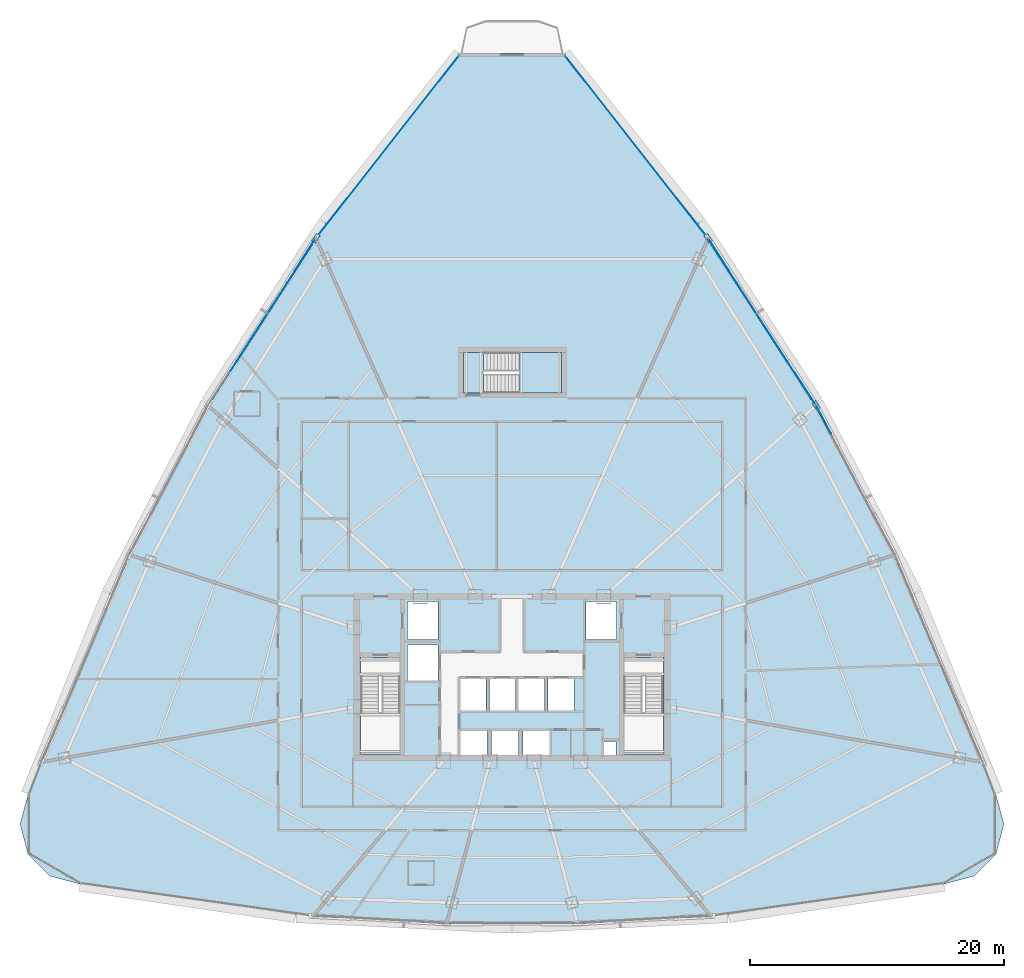
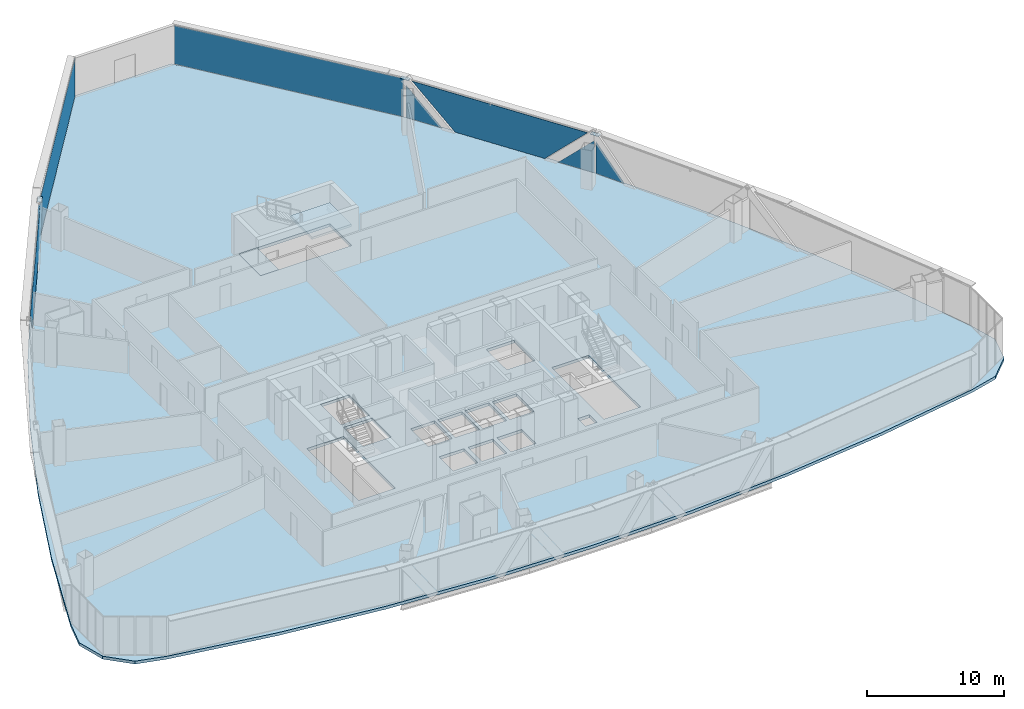
# One storey, part 28 of 38: 11 plates, 3 slabs, 6 elements without a shape of their own.
"""IFC4 building model written with IfcOpenShell, lengths in metres."""

from ifc_helpers import new_model, si_unit, direction, frame, origin, origin_2d, place, context, subcontext, project, spatial, polyline, rectangle, outline, extrude, source, transform, mapped, material, layer, layer_set, type_object, element, aggregate, save


model = new_model("IFC4")

# Units and contexts
model_context = context("Model", 3, precision=1e-05, world=origin(), true_north=direction((0.0, 1.0)))
body_context = subcontext(model_context, "Body", "Model", "MODEL_VIEW")
ifc_project = project(units=[si_unit("LENGTHUNIT", "METRE"), si_unit("AREAUNIT", "SQUARE_METRE"), si_unit("VOLUMEUNIT", "CUBIC_METRE"), si_unit("PLANEANGLEUNIT", "RADIAN"), si_unit("MASSUNIT", "GRAM", prefix="KILO"), si_unit("THERMODYNAMICTEMPERATUREUNIT", "KELVIN"), si_unit("POWERUNIT", "WATT")], contexts=[model_context])

# Site, building, storey
site_placement = place(None, origin())
site = spatial("IfcSite", under=ifc_project, at=site_placement, CompositionType="ELEMENT")
building_placement = place(site_placement, origin())
building = spatial("IfcBuilding", under=site, at=building_placement, Name="Yunzhuo Pagoda Commons", CompositionType="ELEMENT")
storey_placement = place(building_placement, frame((0.0, 0.0, 203.760009765625)))
storey = spatial("IfcBuildingStorey", under=building, at=storey_placement, Name="L51", CompositionType="ELEMENT", Elevation=203.760009765625)

# Curtain wall, plate
ifc_material_1 = material(Name="Anodized aluminium 6063-T6", Category="aluminium")
ifc_layer_1 = layer(ifc_material_1, 0.14990234375)
ifc_layer_set_1 = layer_set([ifc_layer_1], Name="Anodized aluminium 6063-T6")
curtain_wall_type = type_object("IfcCurtainWallType", Name="CW-MID Mid-Zone Ribbon Curtain Wall", PredefinedType="NOTDEFINED", material=ifc_layer_set_1)
curtain_wall_1_placement = place(storey_placement, origin())
curtain_wall_1 = element("IfcCurtainWall", 1, at=curtain_wall_1_placement, inside=storey, type_object=curtain_wall_type, Name="L51 curtain wall CW-L51-F2B3", PredefinedType="NOTDEFINED")
ifc_material_2 = material(Name="Tempered low-e double glazing", Category="glass")
ifc_layer_2 = layer(ifc_material_2, 0.028076171875)
ifc_layer_set_2 = layer_set([ifc_layer_2], Name="Tempered low-e double glazing")
plate_type_1 = type_object("IfcPlateType", Name="CW-MID-P Low-E Double Glazing 28", PredefinedType="CURTAIN_PANEL", material=ifc_layer_set_2)
plate_1_placement = place(storey_placement, frame((72.507080078125, 54.07470703125, 1.474365234375), z_axis=(0.884591690585, 0.466366316267, 0.0), x_axis=(-0.466366316267, 0.884591690585, 0.0)))
plate_1 = element("IfcPlate", 2, at=plate_1_placement, type_object=plate_type_1, Name="CW panel 1.1 lite 3", PredefinedType="CURTAIN_PANEL", context=body_context, shape_type="SweptSolid", body=[
    extrude(outline(polyline([(-1.240234375, -1.41943359375), (1.240234375, -1.41943359375), (1.240234375, 1.41943359375), (-1.240234375, -1.41943359375)])), origin(), (0.0, 0.0, 1.0), 0.028076171875),
])
aggregate(curtain_wall_1, [plate_1])

# Curtain wall, plates
curtain_wall_2_placement = place(storey_placement, origin())
curtain_wall_2 = element("IfcCurtainWall", 3, at=curtain_wall_2_placement, inside=storey, type_object=curtain_wall_type, Name="L51 curtain wall CW-L51-F2B4", PredefinedType="NOTDEFINED")
plate_2_placement = place(storey_placement, frame((71.060791015625, 56.525146484375, 1.503173828125), z_axis=(0.839965077478, 0.542640459805, 0.0), x_axis=(-0.542640459805, 0.839965077478, 0.0)))
plate_2 = element("IfcPlate", 4, at=plate_2_placement, type_object=plate_type_1, Name="CW panel 1.1 lite 1", PredefinedType="CURTAIN_PANEL", context=body_context, shape_type="SweptSolid", body=[
    extrude(outline(polyline([(-1.4892578125, -1.4482421875), (1.4892578125, -1.4482421875), (-1.4892578125, 1.4482421875), (-1.4892578125, -1.4482421875)])), origin(), (0.0, 0.0, 1.0), 0.028076171875),
])
plate_3_placement = place(storey_placement, frame((67.635498046875, 61.77197265625, 1.77001953125), z_axis=(0.839965077478, 0.542640459805, 0.0), x_axis=(-0.542640459805, 0.839965077478, 0.0)))
plate_3 = element("IfcPlate", 5, at=plate_3_placement, type_object=plate_type_1, Name="CW panel 1.1 lite 2", PredefinedType="CURTAIN_PANEL", context=body_context, shape_type="SweptSolid", body=[
    extrude(outline(polyline([(-7.21337890625, 1.715087890625), (-3.686279296875, -1.715087890625), (3.686279296875, -1.715087890625), (7.21337890625, 1.715087890625), (-7.21337890625, 1.715087890625)])), origin(), (0.0, 0.0, 1.0), 0.028076171875),
])
plate_4_placement = place(storey_placement, frame((64.2607421875, 67.05126953125, 1.503173828125), z_axis=(0.839965077478, 0.542640459805, 0.0), x_axis=(-0.542640459805, 0.839965077478, 0.0)))
plate_4 = element("IfcPlate", 6, at=plate_4_placement, type_object=plate_type_1, Name="CW panel 1.1 lite 3", PredefinedType="CURTAIN_PANEL", context=body_context, shape_type="SweptSolid", body=[
    extrude(outline(polyline([(-1.4892578125, -1.4482421875), (1.4892578125, -1.4482421875), (1.4892578125, 1.4482421875), (-1.4892578125, -1.4482421875)])), origin(), (0.0, 0.0, 1.0), 0.028076171875),
])
aggregate(curtain_wall_2, [plate_2, plate_3, plate_4])

curtain_wall_3_placement = place(storey_placement, origin())
curtain_wall_3 = element("IfcCurtainWall", 7, at=curtain_wall_3_placement, inside=storey, type_object=curtain_wall_type, Name="L51 curtain wall CW-L51-F3B2", PredefinedType="NOTDEFINED")
plate_5_placement = place(storey_placement, frame((31.7392578125, 67.05126953125, 1.503173828125), z_axis=(-0.839965077478, 0.542640459805, 0.0), x_axis=(-0.542640459805, -0.839965077478, 0.0)))
plate_5 = element("IfcPlate", 8, at=plate_5_placement, type_object=plate_type_1, Name="CW panel 1.1 lite 1", PredefinedType="CURTAIN_PANEL", context=body_context, shape_type="SweptSolid", body=[
    extrude(outline(polyline([(-1.4892578125, -1.4482421875), (1.4892578125, -1.4482421875), (-1.4892578125, 1.4482421875), (-1.4892578125, -1.4482421875)])), origin(), (0.0, 0.0, 1.0), 0.028076171875),
])
plate_6_placement = place(storey_placement, frame((28.364501953125, 61.77197265625, 1.77001953125), z_axis=(-0.839965077478, 0.542640459805, 0.0), x_axis=(-0.542640459805, -0.839965077478, 0.0)))
plate_6 = element("IfcPlate", 9, at=plate_6_placement, type_object=plate_type_1, Name="CW panel 1.1 lite 2", PredefinedType="CURTAIN_PANEL", context=body_context, shape_type="SweptSolid", body=[
    extrude(outline(polyline([(-7.21337890625, 1.715087890625), (-3.686279296875, -1.715087890625), (3.686279296875, -1.715087890625), (7.21337890625, 1.715087890625), (-7.21337890625, 1.715087890625)])), origin(), (0.0, 0.0, 1.0), 0.028076171875),
])
aggregate(curtain_wall_3, [plate_5, plate_6])

# Stair, slabs
ifc_material_3 = material(Name="Concrete C40", Category="concrete")
stair_type = type_object("IfcStairType", Name="ST-C3 North Tower Smokeproof Stair ST3", PredefinedType="HALF_TURN_STAIR", material=ifc_material_3)
stair_placement = place(storey_placement, origin())
stair = element("IfcStair", 10, at=stair_placement, inside=storey, type_object=stair_type, Name="L51 North tower smokeproof stair ST3", PredefinedType="HALF_TURN_STAIR")
ifc_layer_3 = layer(ifc_material_3, 0.2041015625)
ifc_layer_set_3 = layer_set([ifc_layer_3], Name="Concrete C40")
slab_type_1 = type_object("IfcSlabType", Name="SL-LND5 North Landing Slab 204", PredefinedType="LANDING", material=ifc_layer_set_3)
slab_1_placement = place(storey_placement, frame((0.0, 0.0, 1.699951171875)))
slab_1 = element("IfcSlab", 11, at=slab_1_placement, type_object=slab_type_1, Name="ST3 landing 1", PredefinedType="LANDING", context=body_context, shape_type="SweptSolid", body=[
    extrude(outline(polyline([(48.550048828125, 56.199951171875), (51.89990234375, 56.199951171875), (51.89990234375, 59.39990234375), (48.550048828125, 59.39990234375), (48.550048828125, 56.199951171875)])), origin(), (0.0, 0.0, 1.0), 0.199951171875),
])
slab_2_placement = place(storey_placement, frame((0.0, 0.0, -0.199951171875)))
slab_2 = element("IfcSlab", 12, at=slab_2_placement, type_object=slab_type_1, Name="ST3 floor landing L51", PredefinedType="LANDING", context=body_context, shape_type="SweptSolid", body=[
    extrude(outline(polyline([(44.199951171875, 56.199951171875), (45.75, 56.199951171875), (45.75, 59.39990234375), (44.199951171875, 59.39990234375), (44.199951171875, 56.199951171875)])), origin(), (0.0, 0.0, 1.0), 0.199951171875),
])
aggregate(stair, [slab_1, slab_2])

# Slab
ifc_layer_4 = layer(ifc_material_3, 0.260009765625)
ifc_layer_set_4 = layer_set([ifc_layer_4], Name="Concrete C40")
slab_type_2 = type_object("IfcSlabType", Name="SL-TWR Typical Tower Floor Slab 260", PredefinedType="FLOOR", material=ifc_layer_set_4)
slab_3_placement = place(storey_placement, frame((0.0, 0.0, -0.260009765625)))
element("IfcSlab", 13, at=slab_3_placement, inside=storey, type_object=slab_type_2, Name="L51 structural floor slab", PredefinedType="FLOOR", context=body_context, shape_type="SweptSolid", body=[
    extrude(outline(polyline([(12.94873046875, 32.66162109375), (16.3046875, 40.461181640625), (20.017822265625, 48.052734375), (24.088134765625, 55.435546875), (28.515380859375, 62.60986328125), (33.2998046875, 69.575927734375), (38.44140625, 76.33349609375), (43.940185546875, 82.88232421875), (52.059814453125, 82.88232421875), (57.55859375, 76.33349609375), (62.7001953125, 69.575927734375), (67.484619140625, 62.60986328125), (71.911865234375, 55.435546875), (75.982177734375, 48.052734375), (79.6953125, 40.461181640625), (83.05126953125, 32.66162109375), (86.05029296875, 24.6533203125), (86.691162109375, 22.30029296875), (86.067138671875, 19.942626953125), (84.345703125, 18.215087890625), (81.990478515625, 17.58251953125), (73.492919921875, 16.13525390625), (64.9951171875, 15.1015625), (56.49755859375, 14.481201171875), (48.0, 14.2744140625), (39.50244140625, 14.481201171875), (31.0048828125, 15.1015625), (22.507080078125, 16.13525390625), (14.009521484375, 17.58251953125), (11.654296875, 18.215087890625), (9.932861328125, 19.942626953125), (9.308837890625, 22.30029296875), (9.94970703125, 24.6533203125), (12.94873046875, 32.66162109375)]), holes=[polyline([(46.050048828125, 29.64990234375), (43.949951171875, 29.64990234375), (43.949951171875, 27.60009765625), (46.050048828125, 27.60009765625), (46.050048828125, 29.64990234375)]), polyline([(48.5, 27.60009765625), (48.5, 29.64990234375), (46.39990234375, 29.64990234375), (46.39990234375, 27.60009765625), (48.5, 27.60009765625)]), polyline([(36.10009765625, 27.800048828125), (39.199951171875, 27.800048828125), (39.199951171875, 35.39990234375), (36.10009765625, 35.39990234375), (36.10009765625, 27.800048828125)]), polyline([(45.969970703125, 31.199951171875), (45.969970703125, 33.800048828125), (43.929931640625, 33.800048828125), (43.929931640625, 31.199951171875), (45.969970703125, 31.199951171875)]), polyline([(48.27001953125, 31.199951171875), (48.27001953125, 33.800048828125), (46.22998046875, 33.800048828125), (46.22998046875, 31.199951171875), (48.27001953125, 31.199951171875)]), polyline([(42.199951171875, 33.60009765625), (42.199951171875, 36.39990234375), (39.800048828125, 36.39990234375), (39.800048828125, 33.60009765625), (42.199951171875, 33.60009765625)]), polyline([(42.199951171875, 36.800048828125), (42.199951171875, 39.800048828125), (39.800048828125, 39.800048828125), (39.800048828125, 36.800048828125), (42.199951171875, 36.800048828125)]), polyline([(56.179931640625, 28.800048828125), (55.179931640625, 28.800048828125), (55.179931640625, 27.699951171875), (56.179931640625, 27.699951171875), (56.179931640625, 28.800048828125)]), polyline([(50.949951171875, 27.60009765625), (50.949951171875, 29.64990234375), (48.85009765625, 29.64990234375), (48.85009765625, 27.60009765625), (50.949951171875, 27.60009765625)]), polyline([(56.800048828125, 27.800048828125), (59.89990234375, 27.800048828125), (59.89990234375, 35.39990234375), (56.800048828125, 35.39990234375), (56.800048828125, 27.800048828125)]), polyline([(50.570068359375, 31.199951171875), (50.570068359375, 33.800048828125), (48.530029296875, 33.800048828125), (48.530029296875, 31.199951171875), (50.570068359375, 31.199951171875)]), polyline([(52.8701171875, 31.199951171875), (52.8701171875, 33.800048828125), (50.830078125, 33.800048828125), (50.830078125, 31.199951171875), (52.8701171875, 31.199951171875)]), polyline([(56.199951171875, 36.800048828125), (56.199951171875, 39.800048828125), (53.800048828125, 39.800048828125), (53.800048828125, 36.800048828125), (56.199951171875, 36.800048828125)]), polyline([(51.89990234375, 56.199951171875), (51.89990234375, 59.39990234375), (44.199951171875, 59.39990234375), (44.199951171875, 56.199951171875), (51.89990234375, 56.199951171875)])]), origin(), (0.0, 0.0, 1.0), 0.260009765625),
])

# Plates
ifc_material_4 = material(Name="Structural steel Q355B", Category="steel")
ifc_layer_5 = layer(ifc_material_4, 0.028076171875)
ifc_layer_set_5 = layer_set([ifc_layer_5], Name="Structural steel Q355B")
plate_type_2 = type_object("IfcPlateType", Name="SP-ND1 Lattice Node Cap Plate 800x500x28", PredefinedType="USERDEFINED", material=ifc_layer_set_5)
shared_shape_1 = source(origin(), body_context, "Body", "SweptSolid", [
    extrude(rectangle(XDim=0.699951171875, YDim=0.35009765625, at=origin_2d()), origin(), (0.0, 0.0, 1.0), 0.035888671875),
])
for number, where, z_axis, x_axis, name in (
    (14, (71.9130859375, 55.2314453125, 3.501953125), (0.0, 0.0, 1.0), (-0.542646794047, 0.83996098535, 0.0), "L51 setback lattice tie plate F2.3L"),
    (15, (63.431640625, 68.360107421875, 3.501953125), (0.0, 0.0, 1.0), (-0.542646794047, 0.83996098535, 0.0), "L51 setback lattice tie plate F2.3R"),
    (16, (32.568359375, 68.360107421875, 3.501953125), (0.0, 0.0, 1.0), (-0.542646794047, -0.83996098535, 0.0), "L51 setback lattice tie plate F3.1L"),
):
    element("IfcPlate", number, at=place(storey_placement, frame(where, z_axis=z_axis, x_axis=x_axis)), inside=storey, type_object=plate_type_2, Name=name, ObjectType="STIFFENER_PLATE", PredefinedType="USERDEFINED", context=body_context, shape_type="MappedRepresentation", body=[
        mapped(shared_shape_1, transform((0.0, 0.0, 0.0), scale=1.0)),
    ])

# Curtain wall, plate
curtain_wall_4_placement = place(storey_placement, origin())
curtain_wall_4 = element("IfcCurtainWall", 17, at=curtain_wall_4_placement, inside=storey, type_object=curtain_wall_type, Name="L51 curtain wall CW-L51-F2B5", PredefinedType="NOTDEFINED")
shared_shape_2 = source(origin(), body_context, "Body", "SweptSolid", [
    extrude(rectangle(XDim=18.0888671875, YDim=0.028076171875, at=origin_2d()), origin(), (0.0, 0.0, 1.0), 3.429931640625),
])
plate_7_placement = place(storey_placement, frame((57.77001953125, 75.585693359375, 0.05517578125), z_axis=(0.0, 0.0, 1.0), x_axis=(-0.616761577071, 0.787150021946, 0.0)))
plate_7 = element("IfcPlate", 18, at=plate_7_placement, type_object=plate_type_1, Name="CW panel 1.1", PredefinedType="CURTAIN_PANEL", context=body_context, shape_type="MappedRepresentation", body=[
    mapped(shared_shape_2, transform((0.0, 0.0, 0.0), scale=1.0)),
])
aggregate(curtain_wall_4, [plate_7])

curtain_wall_5_placement = place(storey_placement, origin())
curtain_wall_5 = element("IfcCurtainWall", 19, at=curtain_wall_5_placement, inside=storey, type_object=curtain_wall_type, Name="L51 curtain wall CW-L51-F3B1", PredefinedType="NOTDEFINED")
plate_8_placement = place(storey_placement, frame((38.22998046875, 75.585693359375, 0.05517578125), z_axis=(0.0, 0.0, 1.0), x_axis=(-0.616761577071, -0.787150021946, 0.0)))
plate_8 = element("IfcPlate", 20, at=plate_8_placement, type_object=plate_type_1, Name="CW panel 1.1", PredefinedType="CURTAIN_PANEL", context=body_context, shape_type="MappedRepresentation", body=[
    mapped(shared_shape_2, transform((0.0, 0.0, 0.0), scale=1.0)),
])
aggregate(curtain_wall_5, [plate_8])

save(model, "model.ifc")
